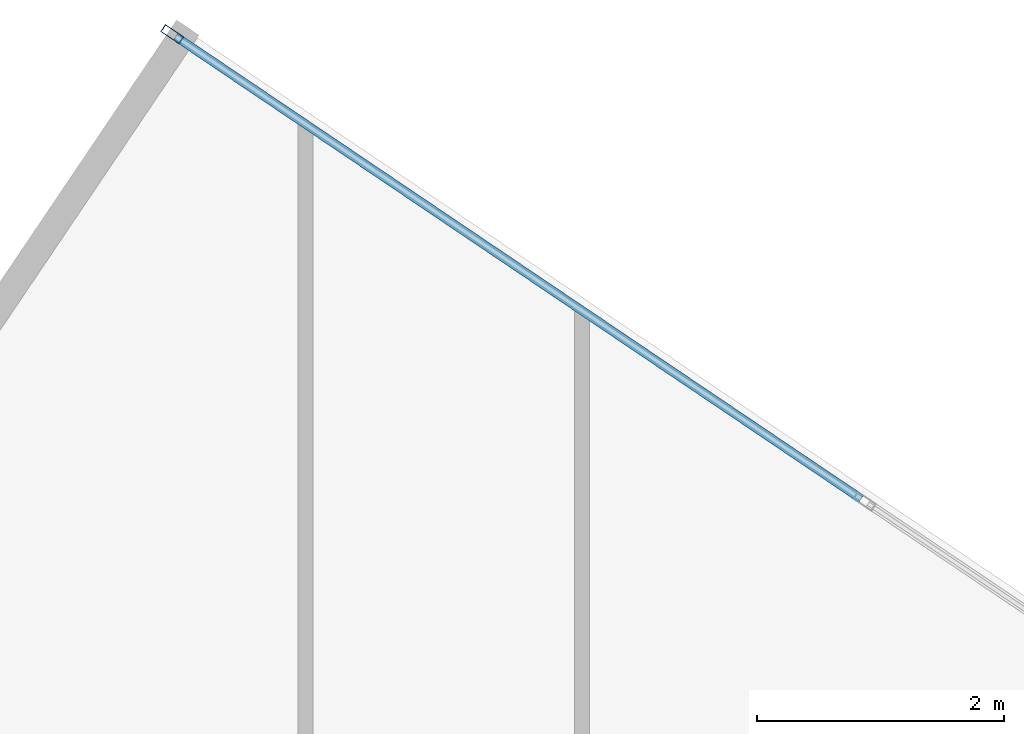
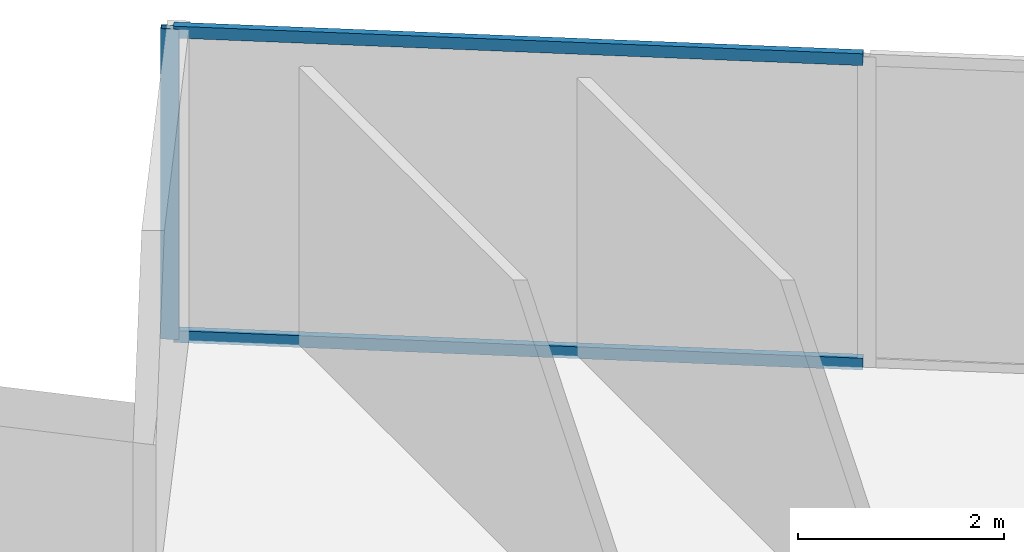
# One storey, part 17 of 27: 3 members, 1 element without a shape of its own.
"""IFC4 building model written with IfcOpenShell, lengths in metres."""

from ifc_helpers import new_model, si_unit, direction, frame, origin, origin_2d, place, context, subcontext, project, spatial, hollow_rectangle, extrude, source, transform, mapped, material, material_profile, profile_set, type_object, type_shapes, element, aggregate, save


model = new_model("IFC4")

# Units and contexts
model_context = context("Model", 3, precision=1e-05, world=origin(), true_north=direction((0.0, 1.0)))
body_context = subcontext(model_context, "Body", "Model", "MODEL_VIEW")
ifc_project = project(units=[si_unit("LENGTHUNIT", "METRE"), si_unit("AREAUNIT", "SQUARE_METRE"), si_unit("VOLUMEUNIT", "CUBIC_METRE"), si_unit("PLANEANGLEUNIT", "RADIAN"), si_unit("MASSUNIT", "GRAM", prefix="KILO")], contexts=[model_context])

# Site, building, storey
site_placement = place(None, origin())
site = spatial("IfcSite", under=ifc_project, at=site_placement, CompositionType="ELEMENT")
building_placement = place(site_placement, origin())
building = spatial("IfcBuilding", under=site, at=building_placement, Name="Krantzveldt Concourse Tower", CompositionType="ELEMENT")
storey_placement = place(building_placement, frame((0.0, 0.0, 185.699951171875)))
storey = spatial("IfcBuildingStorey", under=building, at=storey_placement, Name="L45", CompositionType="ELEMENT", Elevation=185.699951171875)

# Curtain wall, members
ifc_material = material(Name="Anodised aluminium 6063-T6", Category="aluminium")
curtain_wall_type = type_object("IfcCurtainWallType", Name="CW3", PredefinedType="USERDEFINED", material=ifc_material)
curtain_wall_placement = place(storey_placement, origin())
curtain_wall = element("IfcCurtainWall", 1, at=curtain_wall_placement, inside=storey, type_object=curtain_wall_type, Name="CW-L45-F14", ObjectType="UNITISED CURTAIN WALL", PredefinedType="USERDEFINED")
ifc_material_profile_1 = material_profile(ifc_material, hollow_rectangle(XDim=0.070068359375, YDim=0.179931640625, WallThickness=0.0048828125, at=origin_2d()), Name="Anodised aluminium 6063-T6", Category="aluminium")
ifc_profile_set_1 = profile_set([ifc_material_profile_1], Name="Anodised aluminium 6063-T6 - ALU-MULL 180x70x5")
member_type_1 = type_object("IfcMemberType", Name="CW-MUL-180", PredefinedType="MULLION", material=ifc_profile_set_1)
shared_shape_1 = source(origin(), body_context, "Body", "SweptSolid", [
    extrude(hollow_rectangle(XDim=0.070068359375, YDim=0.179931640625, WallThickness=0.0048828125, at=origin_2d()), origin(), (0.0, 0.0, 1.0), 3.670166015625),
])
type_shapes(member_type_1, [shared_shape_1])
member_1_placement = place(storey_placement, frame((33.7998046875, 54.49169921875, 0.0), z_axis=(0.0, 0.0, 1.0), x_axis=(-0.559192760874, -0.829037668737, 0.0)))
member_1 = element("IfcMember", 2, at=member_1_placement, type_object=member_type_1, Name="CW-Z34 mullion 3", PredefinedType="MULLION", context=body_context, shape_type="MappedRepresentation", body=[
    mapped(shared_shape_1, transform((0.0, 0.0, 0.0), x_axis=(1.0, 0.0, 0.0), y_axis=(0.0, 1.0, 0.0), z_axis=(0.0, 0.0, 1.0), scale=1.0)),
])
ifc_material_profile_2 = material_profile(ifc_material, hollow_rectangle(XDim=0.070068359375, YDim=0.139892578125, WallThickness=0.0048828125, at=origin_2d()), Name="Anodised aluminium 6063-T6", Category="aluminium")
ifc_profile_set_2 = profile_set([ifc_material_profile_2], Name="Anodised aluminium 6063-T6 - ALU-TRAN 140x70x5")
member_type_2 = type_object("IfcMemberType", Name="CW-TRN-150", PredefinedType="USERDEFINED", material=ifc_profile_set_2)
shared_shape_2 = source(origin(), body_context, "Body", "SweptSolid", [
    extrude(hollow_rectangle(XDim=0.070068359375, YDim=0.139892578125, WallThickness=0.0048828125, at=origin_2d()), origin(), (0.0, 0.0, 1.0), 6.695068359375),
])
type_shapes(member_type_2, [shared_shape_2])
member_2_placement = place(storey_placement, frame((39.379150390625, 50.728271484375, 0.03515625), z_axis=(-0.829025343294, 0.559211033668, 0.0), x_axis=(-0.559211033668, -0.829025343294, 0.0)))
member_2 = element("IfcMember", 3, at=member_2_placement, type_object=member_type_2, Name="CW-Z34 transom 2.1", ObjectType="TRANSOM", PredefinedType="USERDEFINED", context=body_context, shape_type="MappedRepresentation", body=[
    mapped(shared_shape_2, transform((0.0, 0.0, 0.0), x_axis=(1.0, 0.0, 0.0), y_axis=(0.0, 1.0, 0.0), z_axis=(0.0, 0.0, 1.0), scale=1.0)),
])
member_3_placement = place(storey_placement, frame((39.379150390625, 50.728271484375, 3.635009765625), z_axis=(-0.829025343294, 0.559211033668, 0.0), x_axis=(-0.559211033668, -0.829025343294, 0.0)))
member_3 = element("IfcMember", 4, at=member_3_placement, type_object=member_type_2, Name="CW-Z34 transom 2.2", ObjectType="TRANSOM", PredefinedType="USERDEFINED", context=body_context, shape_type="MappedRepresentation", body=[
    mapped(shared_shape_2, transform((0.0, 0.0, 0.0), x_axis=(1.0, 0.0, 0.0), y_axis=(0.0, 1.0, 0.0), z_axis=(0.0, 0.0, 1.0), scale=1.0)),
])
aggregate(curtain_wall, [member_1, member_2, member_3])

save(model, "model.ifc")
